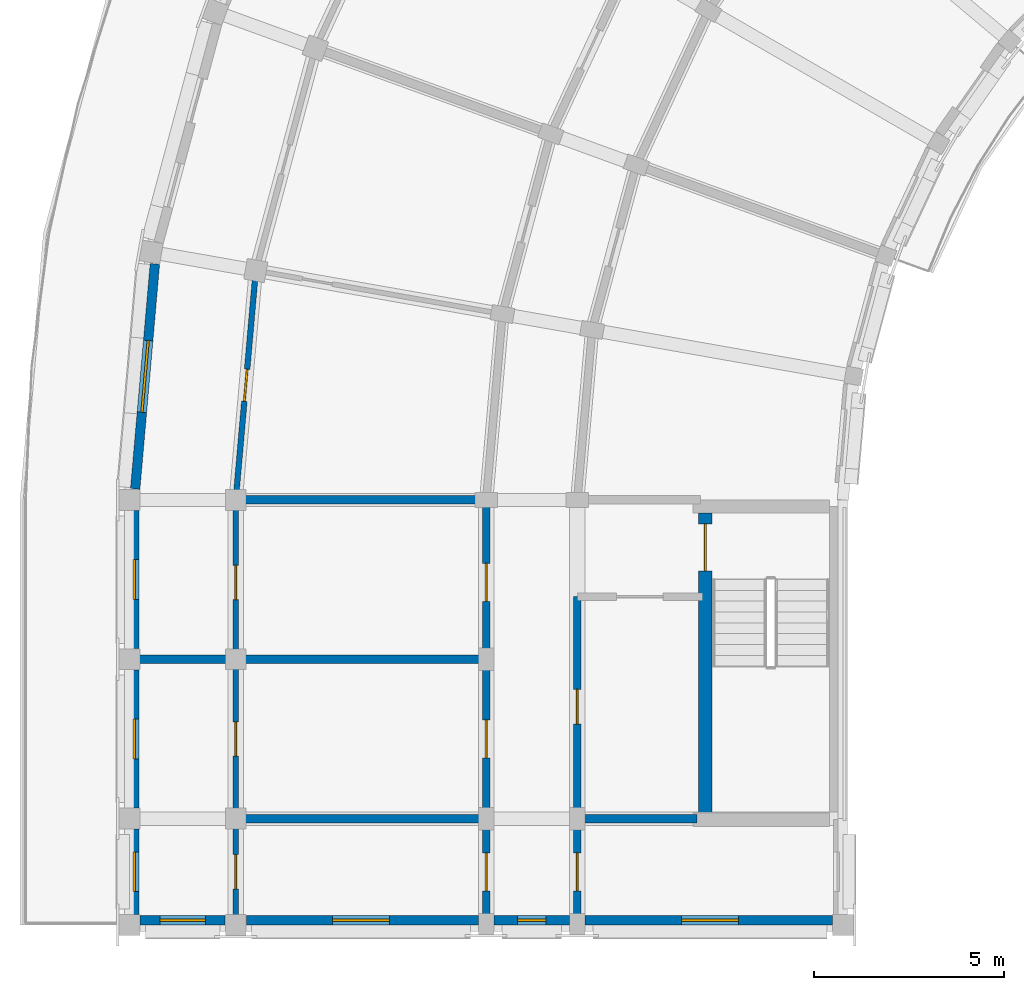
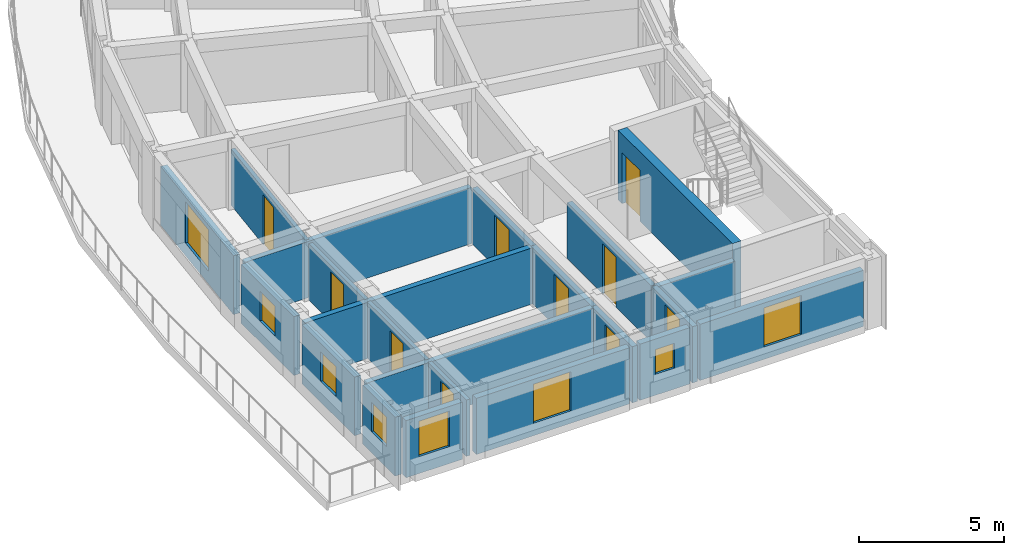
# One storey, part 6 of 16: 22 walls, 10 doors, 8 windows, 18 openings.
"""IFC4 building model written with IfcOpenShell, lengths in metres."""

from ifc_helpers import new_model, si_unit, direction, frame, frame_2d, origin, place, context, subcontext, project, spatial, rectangle, extrude, material, layer, layer_set, type_object, element, fill, save


model = new_model("IFC4")

# Units and contexts
model_context = context("Model", 3, precision=1e-05, world=origin(), true_north=direction((0.0, 1.0)))
body_context = subcontext(model_context, "Body", "Model", "MODEL_VIEW")
ifc_project = project(units=[si_unit("LENGTHUNIT", "METRE"), si_unit("AREAUNIT", "SQUARE_METRE"), si_unit("VOLUMEUNIT", "CUBIC_METRE"), si_unit("PLANEANGLEUNIT", "RADIAN"), si_unit("MASSUNIT", "GRAM", prefix="KILO")], contexts=[model_context])

# Site, building, storey
site_placement = place(None, origin())
site = spatial("IfcSite", under=ifc_project, at=site_placement, CompositionType="ELEMENT")
building_placement = place(site_placement, origin())
building = spatial("IfcBuilding", under=site, at=building_placement, Name="Kiranvali Square Residences", CompositionType="ELEMENT")
storey_placement = place(building_placement, frame((0.0, 0.0, 46.5)))
storey = spatial("IfcBuildingStorey", under=building, at=storey_placement, Name="L14", CompositionType="ELEMENT", Elevation=46.5)

# Wall, opening, door
ifc_material_1 = material(Name="Autoclaved aerated concrete blockwork masonry", Category="masonry")
ifc_layer_1 = layer(ifc_material_1, 0.199951171875)
ifc_layer_set_1 = layer_set([ifc_layer_1], Name="Autoclaved aerated concrete blockwork masonry")
wall_type_1 = type_object("IfcWallType", Name="WL-COR-200", PredefinedType="STANDARD", material=ifc_layer_set_1)
wall_1_placement = place(storey_placement, frame((22.39990234375, 85.25, 0.0), z_axis=(0.0, 0.0, 1.0), x_axis=(0.0, -1.0, 0.0)))
wall_1 = element("IfcWall", 1, at=wall_1_placement, inside=storey, type_object=wall_type_1, Name="L14 architectural wall WL-L14-A-S3-COR", PredefinedType="STANDARD", context=body_context, shape_type="SweptSolid", body=[
    extrude(rectangle(XDim=5.800048828125, YDim=0.199951171875, at=frame_2d((2.89990234375, 0.0))), origin(), (0.0, 0.0, 1.0), 2.3720703125),
])
opening_1_placement = place(wall_1_placement, frame((2.43994140625, 0.0, 0.0)))
opening_1 = element("IfcOpeningElement", 2, at=opening_1_placement, cuts=wall_1, Name="Opening FD-SVC-120", PredefinedType="OPENING", context=body_context, shape_type="SweptSolid", body=[
    extrude(rectangle(XDim=0.919921875, YDim=2.10009765625, at=frame_2d((0.4599609375, 1.050048828125))), frame((0.0, 0.10986328125, 0.0), z_axis=(0.0, -1.0, 0.0), x_axis=(1.0, 0.0, 0.0)), (0.0, 0.0, 1.0), 0.219970703125),
])
ifc_material_2 = material(Name="Fire-rated acoustic hardwood and mineral-core door assembly", Category="wood")
door_type_1 = type_object("IfcDoorType", Name="DR-SVC-900", OperationType="NOTDEFINED", PredefinedType="DOOR", material=ifc_material_2)
door_1_placement = place(opening_1_placement, frame((0.919921875, 0.0, 0.0), z_axis=(0.0, 0.0, 1.0), x_axis=(-1.0, 0.0, 0.0)))
door_1 = element("IfcDoor", 3, at=door_1_placement, inside=storey, type_object=door_type_1, Name="L14 door DR-L14-0858 (DR-SVC-900)", OperationType="SINGLE_SWING_RIGHT", OverallHeight=2.10009765625, OverallWidth=0.919921875, PredefinedType="DOOR", context=body_context, shape_type="SweptSolid", body=[
    extrude(rectangle(XDim=0.919921875, YDim=2.10009765625, at=frame_2d((0.4599609375, 1.050048828125))), frame((0.0, 0.02490234375, 0.0), z_axis=(0.0, -1.0, 0.0), x_axis=(1.0, 0.0, 0.0)), (0.0, 0.0, 1.0), 0.050048828125),
])
fill(opening_1, door_1)

wall_2_placement = place(storey_placement, frame((20.0, 87.64990234375, 0.0), z_axis=(0.0, 0.0, 1.0), x_axis=(0.0, -1.0, 0.0)))
wall_2 = element("IfcWall", 4, at=wall_2_placement, inside=storey, type_object=wall_type_1, Name="L14 architectural wall WL-L14-A-A2CF-C0", PredefinedType="STANDARD", context=body_context, shape_type="SweptSolid", body=[
    extrude(rectangle(XDim=4.0498046875, YDim=0.199951171875, at=frame_2d((2.02490234375, 0.0))), origin(), (0.0, 0.0, 1.0), 2.3720703125),
])
opening_2_placement = place(wall_2_placement, frame((1.52490234375, 0.0, 0.0)))
opening_2 = element("IfcOpeningElement", 5, at=opening_2_placement, cuts=wall_2, Name="Opening FD-APT-60", PredefinedType="OPENING", context=body_context, shape_type="SweptSolid", body=[
    extrude(rectangle(XDim=1.0, YDim=2.14990234375, at=frame_2d((0.5, 1.074951171875))), frame((0.0, 0.10986328125, 0.0), z_axis=(0.0, -1.0, 0.0), x_axis=(1.0, 0.0, 0.0)), (0.0, 0.0, 1.0), 0.219970703125),
])
door_type_2 = type_object("IfcDoorType", Name="DR-APT-1000", OperationType="NOTDEFINED", PredefinedType="DOOR", material=ifc_material_2)
door_2_placement = place(opening_2_placement, frame((1.0, 0.0, 0.0), z_axis=(0.0, 0.0, 1.0), x_axis=(-1.0, 0.0, 0.0)))
door_2 = element("IfcDoor", 6, at=door_2_placement, inside=storey, type_object=door_type_2, Name="L14 door DR-L14-0894 (DR-APT-1000)", OperationType="SINGLE_SWING_RIGHT", OverallHeight=2.14990234375, OverallWidth=1.0, PredefinedType="DOOR", context=body_context, shape_type="SweptSolid", body=[
    extrude(rectangle(XDim=1.0, YDim=2.14990234375, at=frame_2d((0.5, 1.074951171875))), frame((0.0, 0.02490234375, 0.0), z_axis=(0.0, -1.0, 0.0), x_axis=(1.0, 0.0, 0.0)), (0.0, 0.0, 1.0), 0.050048828125),
])
fill(opening_2, door_2)

wall_3_placement = place(storey_placement, frame((20.0, 83.60009765625, 0.0), z_axis=(0.0, 0.0, 1.0), x_axis=(0.0, -1.0, 0.0)))
wall_3 = element("IfcWall", 7, at=wall_3_placement, inside=storey, type_object=wall_type_1, Name="L14 architectural wall WL-L14-A-A2CF-C1", PredefinedType="STANDARD", context=body_context, shape_type="SweptSolid", body=[
    extrude(rectangle(XDim=4.2001953125, YDim=0.199951171875, at=frame_2d((2.10009765625, 0.0))), origin(), (0.0, 0.0, 1.0), 2.3720703125),
])
opening_3_placement = place(wall_3_placement, frame((1.60009765625, 0.0, 0.0)))
opening_3 = element("IfcOpeningElement", 8, at=opening_3_placement, cuts=wall_3, Name="Opening FD-APT-60", PredefinedType="OPENING", context=body_context, shape_type="SweptSolid", body=[
    extrude(rectangle(XDim=1.0, YDim=2.14990234375, at=frame_2d((0.5, 1.074951171875))), frame((0.0, 0.10986328125, 0.0), z_axis=(0.0, -1.0, 0.0), x_axis=(1.0, 0.0, 0.0)), (0.0, 0.0, 1.0), 0.219970703125),
])
door_3_placement = place(opening_3_placement, frame((1.0, 0.0, 0.0), z_axis=(0.0, 0.0, 1.0), x_axis=(-1.0, 0.0, 0.0)))
door_3 = element("IfcDoor", 9, at=door_3_placement, inside=storey, type_object=door_type_2, Name="L14 door DR-L14-0896 (DR-APT-1000)", OperationType="SINGLE_SWING_RIGHT", OverallHeight=2.14990234375, OverallWidth=1.0, PredefinedType="DOOR", context=body_context, shape_type="SweptSolid", body=[
    extrude(rectangle(XDim=1.0, YDim=2.14990234375, at=frame_2d((0.5, 1.074951171875))), frame((0.0, 0.02490234375, 0.0), z_axis=(0.0, -1.0, 0.0), x_axis=(1.0, 0.0, 0.0)), (0.0, 0.0, 1.0), 0.050048828125),
])
fill(opening_3, door_3)

wall_4_placement = place(storey_placement, frame((22.39990234375, 79.39990234375, 0.0), z_axis=(0.0, 0.0, 1.0), x_axis=(0.0, -1.0, 0.0)))
wall_4 = element("IfcWall", 10, at=wall_4_placement, inside=storey, type_object=wall_type_1, Name="L14 architectural wall WL-L14-A-A2CI-0", PredefinedType="STANDARD", context=body_context, shape_type="SweptSolid", body=[
    extrude(rectangle(XDim=2.7998046875, YDim=0.199951171875, at=frame_2d((1.39990234375, 0.0))), origin(), (0.0, 0.0, 1.0), 2.3720703125),
])
opening_4_placement = place(wall_4_placement, frame((0.89990234375, 0.0, 0.0)))
opening_4 = element("IfcOpeningElement", 11, at=opening_4_placement, cuts=wall_4, Name="Opening FD-APT-60", PredefinedType="OPENING", context=body_context, shape_type="SweptSolid", body=[
    extrude(rectangle(XDim=1.0, YDim=2.14990234375, at=frame_2d((0.5, 1.074951171875))), frame((0.0, 0.10986328125, 0.0), z_axis=(0.0, -1.0, 0.0), x_axis=(1.0, 0.0, 0.0)), (0.0, 0.0, 1.0), 0.219970703125),
])
door_4_placement = place(opening_4_placement, frame((1.0, 0.0, 0.0), z_axis=(0.0, 0.0, 1.0), x_axis=(-1.0, 0.0, 0.0)))
door_4 = element("IfcDoor", 12, at=door_4_placement, inside=storey, type_object=door_type_2, Name="L14 door DR-L14-0898 (DR-APT-1000)", OperationType="SINGLE_SWING_RIGHT", OverallHeight=2.14990234375, OverallWidth=1.0, PredefinedType="DOOR", context=body_context, shape_type="SweptSolid", body=[
    extrude(rectangle(XDim=1.0, YDim=2.14990234375, at=frame_2d((0.5, 1.074951171875))), frame((0.0, 0.02490234375, 0.0), z_axis=(0.0, -1.0, 0.0), x_axis=(1.0, 0.0, 0.0)), (0.0, 0.0, 1.0), 0.050048828125),
])
fill(opening_4, door_4)

wall_5_placement = place(storey_placement, frame((20.0, 79.39990234375, 0.0), z_axis=(0.0, 0.0, 1.0), x_axis=(0.0, -1.0, 0.0)))
wall_5 = element("IfcWall", 13, at=wall_5_placement, inside=storey, type_object=wall_type_1, Name="L14 architectural wall WL-L14-A-A2CO-0", PredefinedType="STANDARD", context=body_context, shape_type="SweptSolid", body=[
    extrude(rectangle(XDim=2.7998046875, YDim=0.199951171875, at=frame_2d((1.39990234375, 0.0))), origin(), (0.0, 0.0, 1.0), 2.3720703125),
])
opening_5_placement = place(wall_5_placement, frame((0.89990234375, 0.0, 0.0)))
opening_5 = element("IfcOpeningElement", 14, at=opening_5_placement, cuts=wall_5, Name="Opening FD-APT-60", PredefinedType="OPENING", context=body_context, shape_type="SweptSolid", body=[
    extrude(rectangle(XDim=1.0, YDim=2.14990234375, at=frame_2d((0.5, 1.074951171875))), frame((0.0, 0.10986328125, 0.0), z_axis=(0.0, -1.0, 0.0), x_axis=(1.0, 0.0, 0.0)), (0.0, 0.0, 1.0), 0.219970703125),
])
door_5_placement = place(opening_5_placement, frame((1.0, 0.0, 0.0), z_axis=(0.0, 0.0, 1.0), x_axis=(-1.0, 0.0, 0.0)))
door_5 = element("IfcDoor", 15, at=door_5_placement, inside=storey, type_object=door_type_2, Name="L14 door DR-L14-0900 (DR-APT-1000)", OperationType="SINGLE_SWING_RIGHT", OverallHeight=2.14990234375, OverallWidth=1.0, PredefinedType="DOOR", context=body_context, shape_type="SweptSolid", body=[
    extrude(rectangle(XDim=1.0, YDim=2.14990234375, at=frame_2d((0.5, 1.074951171875))), frame((0.0, 0.02490234375, 0.0), z_axis=(0.0, -1.0, 0.0), x_axis=(1.0, 0.0, 0.0)), (0.0, 0.0, 1.0), 0.050048828125),
])
fill(opening_5, door_5)

# Walls
ifc_layer_2 = layer(ifc_material_1, 0.219970703125)
ifc_layer_set_2 = layer_set([ifc_layer_2], Name="Autoclaved aerated concrete blockwork masonry")
wall_type_2 = type_object("IfcWallType", Name="WL-DEM-220", PredefinedType="STANDARD", material=ifc_layer_set_2)
wall_6_placement = place(storey_placement, frame((19.89990234375, 87.800048828125, 0.0), z_axis=(0.0, 0.0, 1.0), x_axis=(-1.0, 0.0, 0.0)))
element("IfcWall", 16, at=wall_6_placement, inside=storey, type_object=wall_type_2, Name="L14 architectural wall WL-L14-A-RADO-9", PredefinedType="STANDARD", context=body_context, shape_type="SweptSolid", body=[
    extrude(rectangle(XDim=9.02001953125, YDim=0.219970703125, at=frame_2d((4.510009765625, 0.0))), origin(), (0.0, 0.0, 1.0), 2.3720703125),
])
wall_7_placement = place(storey_placement, frame((19.949951171875, 83.60009765625, 0.0), z_axis=(0.0, 0.0, 1.0), x_axis=(-1.0, 0.0, 0.0)))
element("IfcWall", 17, at=wall_7_placement, inside=storey, type_object=wall_type_2, Name="L14 architectural wall WL-L14-A-A2CF-MID", PredefinedType="STANDARD", context=body_context, shape_type="SweptSolid", body=[
    extrude(rectangle(XDim=9.1298828125, YDim=0.219970703125, at=frame_2d((4.56494140625, 0.0))), origin(), (0.0, 0.0, 1.0), 2.3720703125),
])
wall_8_placement = place(storey_placement, frame((25.550048828125, 79.39990234375, 0.0), z_axis=(0.0, 0.0, 1.0), x_axis=(-1.0, 0.0, 0.0)))
element("IfcWall", 18, at=wall_8_placement, inside=storey, type_object=wall_type_2, Name="L14 architectural wall WL-L14-A-A2TI-0", PredefinedType="STANDARD", context=body_context, shape_type="SweptSolid", body=[
    extrude(rectangle(XDim=3.10009765625, YDim=0.219970703125, at=frame_2d((1.550048828125, 0.0))), origin(), (0.0, 0.0, 1.0), 2.3720703125),
])
wall_9_placement = place(storey_placement, frame((19.89990234375, 79.39990234375, 0.0), z_axis=(0.0, 0.0, 1.0), x_axis=(-1.0, 0.0, 0.0)))
element("IfcWall", 19, at=wall_9_placement, inside=storey, type_object=wall_type_2, Name="L14 architectural wall WL-L14-A-A2TO-0", PredefinedType="STANDARD", context=body_context, shape_type="SweptSolid", body=[
    extrude(rectangle(XDim=9.02001953125, YDim=0.219970703125, at=frame_2d((4.510009765625, 0.0))), origin(), (0.0, 0.0, 1.0), 2.3720703125),
])

# Wall, opening, window
ifc_material_3 = material(Name="Breathable lime-rendered clay brick masonry", Category="masonry")
ifc_layer_3 = layer(ifc_material_3, 0.25)
ifc_layer_set_3 = layer_set([ifc_layer_3], Name="Breathable lime-rendered clay brick masonry")
wall_type_3 = type_object("IfcWallType", Name="WL-EXT-250", PredefinedType="STANDARD", material=ifc_layer_set_3)
wall_10_placement = place(storey_placement, frame((11.26953125, 94.018798828125, 0.0), z_axis=(0.0, 0.0, 1.0), x_axis=(-0.087151687417, -0.996195052879, 0.0)))
wall_10 = element("IfcWall", 20, at=wall_10_placement, inside=storey, type_object=wall_type_3, Name="L14 exterior wall A-L14-CRV-08", PredefinedType="STANDARD", context=body_context, shape_type="SweptSolid", body=[
    extrude(rectangle(XDim=5.952880859375, YDim=0.25, at=frame_2d((2.9765625, 0.0))), origin(), (0.0, 0.0, 1.0), 2.47998046875),
])
opening_6_placement = place(wall_10_placement, frame((2.026611328125, 0.0, 0.530029296875)))
opening_6 = element("IfcOpeningElement", 21, at=opening_6_placement, cuts=wall_10, Name="Opening W-21", PredefinedType="OPENING", context=body_context, shape_type="SweptSolid", body=[
    extrude(rectangle(XDim=1.89990234375, YDim=1.75, at=frame_2d((0.949951171875, 0.875))), frame((0.0, 0.135009765625, 0.0), z_axis=(0.0, -1.0, 0.0), x_axis=(1.0, 0.0, 0.0)), (0.0, 0.0, 1.0), 0.27001953125),
])
ifc_material_4 = material(Name="Solar-control low-e double glazing", Category="glass")
window_type_1 = type_object("IfcWindowType", Name="WIN-TER-1900x1750", PartitioningType="DOUBLE_PANEL_VERTICAL", PredefinedType="WINDOW", material=ifc_material_4)
window_1_placement = place(opening_6_placement, origin())
window_1 = element("IfcWindow", 22, at=window_1_placement, inside=storey, type_object=window_type_1, Name="L14 recessed window A-L14-CRV-08", OverallHeight=1.75, OverallWidth=1.89990234375, PartitioningType="DOUBLE_PANEL_VERTICAL", PredefinedType="WINDOW", context=body_context, shape_type="SweptSolid", body=[
    extrude(rectangle(XDim=1.89990234375, YDim=1.75, at=frame_2d((0.949951171875, 0.875))), frame((0.0, 0.030029296875, 0.0), z_axis=(0.0, -1.0, 0.0), x_axis=(1.0, 0.0, 0.0)), (0.0, 0.0, 1.0), 0.06005859375),
])
fill(opening_6, window_1)

wall_11_placement = place(storey_placement, frame((10.72509765625, 87.521484375, 0.0), z_axis=(0.0, 0.0, 1.0), x_axis=(0.0, -1.0, 0.0)))
wall_11 = element("IfcWall", 23, at=wall_11_placement, inside=storey, type_object=wall_type_3, Name="L14 exterior wall A-L14-A2O-0", PredefinedType="STANDARD", context=body_context, shape_type="SweptSolid", body=[
    extrude(rectangle(XDim=3.64306640625, YDim=0.25, at=frame_2d((1.821533203125, 0.0))), origin(), (0.0, 0.0, 1.0), 2.47998046875),
])
opening_7_placement = place(wall_11_placement, frame((1.29638671875, 0.0, 0.8798828125)))
opening_7 = element("IfcOpeningElement", 24, at=opening_7_placement, cuts=wall_11, Name="Opening W-24", PredefinedType="OPENING", context=body_context, shape_type="SweptSolid", body=[
    extrude(rectangle(XDim=1.050048828125, YDim=1.25, at=frame_2d((0.52490234375, 0.625))), frame((0.0, 0.135009765625, 0.0), z_axis=(0.0, -1.0, 0.0), x_axis=(1.0, 0.0, 0.0)), (0.0, 0.0, 1.0), 0.27001953125),
])
window_type_2 = type_object("IfcWindowType", Name="WIN-COR-1050x1250", PartitioningType="SINGLE_PANEL", PredefinedType="WINDOW", material=ifc_material_4)
window_2_placement = place(opening_7_placement, origin())
window_2 = element("IfcWindow", 25, at=window_2_placement, inside=storey, type_object=window_type_2, Name="L14 recessed window A-L14-A2O-0", OverallHeight=1.25, OverallWidth=1.050048828125, PartitioningType="SINGLE_PANEL", PredefinedType="WINDOW", context=body_context, shape_type="SweptSolid", body=[
    extrude(rectangle(XDim=1.050048828125, YDim=1.25, at=frame_2d((0.52490234375, 0.625))), frame((0.0, 0.030029296875, 0.0), z_axis=(0.0, -1.0, 0.0), x_axis=(1.0, 0.0, 0.0)), (0.0, 0.0, 1.0), 0.06005859375),
])
fill(opening_7, window_2)

wall_12_placement = place(storey_placement, frame((10.72509765625, 83.321533203125, 0.0), z_axis=(0.0, 0.0, 1.0), x_axis=(0.0, -1.0, 0.0)))
wall_12 = element("IfcWall", 26, at=wall_12_placement, inside=storey, type_object=wall_type_3, Name="L14 exterior wall A-L14-A2O-1", PredefinedType="STANDARD", context=body_context, shape_type="SweptSolid", body=[
    extrude(rectangle(XDim=3.64306640625, YDim=0.25, at=frame_2d((1.821533203125, 0.0))), origin(), (0.0, 0.0, 1.0), 2.47998046875),
])
opening_8_placement = place(wall_12_placement, frame((1.29638671875, 0.0, 0.8798828125)))
opening_8 = element("IfcOpeningElement", 27, at=opening_8_placement, cuts=wall_12, Name="Opening W-24", PredefinedType="OPENING", context=body_context, shape_type="SweptSolid", body=[
    extrude(rectangle(XDim=1.050048828125, YDim=1.25, at=frame_2d((0.52490234375, 0.625))), frame((0.0, 0.135009765625, 0.0), z_axis=(0.0, -1.0, 0.0), x_axis=(1.0, 0.0, 0.0)), (0.0, 0.0, 1.0), 0.27001953125),
])
window_3_placement = place(opening_8_placement, origin())
window_3 = element("IfcWindow", 28, at=window_3_placement, inside=storey, type_object=window_type_2, Name="L14 recessed window A-L14-A2O-1", OverallHeight=1.25, OverallWidth=1.050048828125, PartitioningType="SINGLE_PANEL", PredefinedType="WINDOW", context=body_context, shape_type="SweptSolid", body=[
    extrude(rectangle(XDim=1.050048828125, YDim=1.25, at=frame_2d((0.52490234375, 0.625))), frame((0.0, 0.030029296875, 0.0), z_axis=(0.0, -1.0, 0.0), x_axis=(1.0, 0.0, 0.0)), (0.0, 0.0, 1.0), 0.06005859375),
])
fill(opening_8, window_3)

wall_13_placement = place(storey_placement, frame((10.72509765625, 79.12158203125, 0.0), z_axis=(0.0, 0.0, 1.0), x_axis=(0.0, -1.0, 0.0)))
wall_13 = element("IfcWall", 29, at=wall_13_placement, inside=storey, type_object=wall_type_3, Name="L14 exterior wall A-L14-A2O-2", PredefinedType="STANDARD", context=body_context, shape_type="SweptSolid", body=[
    extrude(rectangle(XDim=2.2431640625, YDim=0.25, at=frame_2d((1.12158203125, 0.0))), origin(), (0.0, 0.0, 1.0), 2.47998046875),
])
opening_9_placement = place(wall_13_placement, frame((0.596435546875, 0.0, 0.8798828125)))
opening_9 = element("IfcOpeningElement", 30, at=opening_9_placement, cuts=wall_13, Name="Opening W-24", PredefinedType="OPENING", context=body_context, shape_type="SweptSolid", body=[
    extrude(rectangle(XDim=1.050048828125, YDim=1.25, at=frame_2d((0.52490234375, 0.625))), frame((0.0, 0.135009765625, 0.0), z_axis=(0.0, -1.0, 0.0), x_axis=(1.0, 0.0, 0.0)), (0.0, 0.0, 1.0), 0.27001953125),
])
window_4_placement = place(opening_9_placement, origin())
window_4 = element("IfcWindow", 31, at=window_4_placement, inside=storey, type_object=window_type_2, Name="L14 recessed window A-L14-A2O-2", OverallHeight=1.25, OverallWidth=1.050048828125, PartitioningType="SINGLE_PANEL", PredefinedType="WINDOW", context=body_context, shape_type="SweptSolid", body=[
    extrude(rectangle(XDim=1.050048828125, YDim=1.25, at=frame_2d((0.52490234375, 0.625))), frame((0.0, 0.030029296875, 0.0), z_axis=(0.0, -1.0, 0.0), x_axis=(1.0, 0.0, 0.0)), (0.0, 0.0, 1.0), 0.06005859375),
])
fill(opening_9, window_4)

wall_14_placement = place(storey_placement, frame((29.12158203125, 76.72509765625, 0.0), z_axis=(0.0, 0.0, 1.0), x_axis=(-1.0, 0.0, 0.0)))
wall_14 = element("IfcWall", 32, at=wall_14_placement, inside=storey, type_object=wall_type_3, Name="L14 exterior wall A-L14-A2END-0", PredefinedType="STANDARD", context=body_context, shape_type="SweptSolid", body=[
    extrude(rectangle(XDim=6.51806640625, YDim=0.25, at=frame_2d((3.259033203125, 0.0))), origin(), (0.0, 0.0, 1.0), 2.3720703125),
])
opening_10_placement = place(wall_14_placement, frame((2.471435546875, 0.0, 0.52197265625)))
opening_10 = element("IfcOpeningElement", 33, at=opening_10_placement, cuts=wall_14, Name="Opening W-05", PredefinedType="OPENING", context=body_context, shape_type="SweptSolid", body=[
    extrude(rectangle(XDim=1.5, YDim=1.64990234375, at=frame_2d((0.75, 0.824951171875))), frame((0.0, 0.135009765625, 0.0), z_axis=(0.0, -1.0, 0.0), x_axis=(1.0, 0.0, 0.0)), (0.0, 0.0, 1.0), 0.27001953125),
])
window_type_3 = type_object("IfcWindowType", Name="WIN-RES-1500x1650", PartitioningType="DOUBLE_PANEL_VERTICAL", PredefinedType="WINDOW", material=ifc_material_4)
window_5_placement = place(opening_10_placement, origin())
window_5 = element("IfcWindow", 34, at=window_5_placement, inside=storey, type_object=window_type_3, Name="L14 recessed window A-L14-A2END-0", OverallHeight=1.64990234375, OverallWidth=1.5, PartitioningType="DOUBLE_PANEL_VERTICAL", PredefinedType="WINDOW", context=body_context, shape_type="SweptSolid", body=[
    extrude(rectangle(XDim=1.5, YDim=1.64990234375, at=frame_2d((0.75, 0.824951171875))), frame((0.0, 0.030029296875, 0.0), z_axis=(0.0, -1.0, 0.0), x_axis=(1.0, 0.0, 0.0)), (0.0, 0.0, 1.0), 0.06005859375),
])
fill(opening_10, window_5)

wall_15_placement = place(storey_placement, frame((22.196533203125, 76.72509765625, 0.0), z_axis=(0.0, 0.0, 1.0), x_axis=(-1.0, 0.0, 0.0)))
wall_15 = element("IfcWall", 35, at=wall_15_placement, inside=storey, type_object=wall_type_3, Name="L14 exterior wall A-L14-A2END-1", PredefinedType="STANDARD", context=body_context, shape_type="SweptSolid", body=[
    extrude(rectangle(XDim=1.992919921875, YDim=0.25, at=frame_2d((0.99658203125, 0.0))), origin(), (0.0, 0.0, 1.0), 2.3720703125),
])
opening_11_placement = place(wall_15_placement, frame((0.62158203125, 0.0, 0.8798828125)))
opening_11 = element("IfcOpeningElement", 36, at=opening_11_placement, cuts=wall_15, Name="Opening W-07", PredefinedType="OPENING", context=body_context, shape_type="SweptSolid", body=[
    extrude(rectangle(XDim=0.75, YDim=1.050048828125, at=frame_2d((0.375, 0.52490234375))), frame((0.0, 0.135009765625, 0.0), z_axis=(0.0, -1.0, 0.0), x_axis=(1.0, 0.0, 0.0)), (0.0, 0.0, 1.0), 0.27001953125),
])
window_type_4 = type_object("IfcWindowType", Name="WIN-WET-750x1050", PartitioningType="SINGLE_PANEL", PredefinedType="WINDOW", material=ifc_material_4)
window_6_placement = place(opening_11_placement, origin())
window_6 = element("IfcWindow", 37, at=window_6_placement, inside=storey, type_object=window_type_4, Name="L14 recessed window A-L14-A2END-1", OverallHeight=1.050048828125, OverallWidth=0.75, PartitioningType="SINGLE_PANEL", PredefinedType="WINDOW", context=body_context, shape_type="SweptSolid", body=[
    extrude(rectangle(XDim=0.75, YDim=1.050048828125, at=frame_2d((0.375, 0.52490234375))), frame((0.0, 0.030029296875, 0.0), z_axis=(0.0, -1.0, 0.0), x_axis=(1.0, 0.0, 0.0)), (0.0, 0.0, 1.0), 0.06005859375),
])
fill(opening_11, window_6)

wall_16_placement = place(storey_placement, frame((19.79638671875, 76.72509765625, 0.0), z_axis=(0.0, 0.0, 1.0), x_axis=(-1.0, 0.0, 0.0)))
wall_16 = element("IfcWall", 38, at=wall_16_placement, inside=storey, type_object=wall_type_3, Name="L14 exterior wall A-L14-A2END-2", PredefinedType="STANDARD", context=body_context, shape_type="SweptSolid", body=[
    extrude(rectangle(XDim=6.117919921875, YDim=0.25, at=frame_2d((3.05908203125, 0.0))), origin(), (0.0, 0.0, 1.0), 2.3720703125),
])
opening_12_placement = place(wall_16_placement, frame((2.346435546875, 0.0, 0.52197265625)))
opening_12 = element("IfcOpeningElement", 39, at=opening_12_placement, cuts=wall_16, Name="Opening W-05", PredefinedType="OPENING", context=body_context, shape_type="SweptSolid", body=[
    extrude(rectangle(XDim=1.5, YDim=1.64990234375, at=frame_2d((0.75, 0.824951171875))), frame((0.0, 0.135009765625, 0.0), z_axis=(0.0, -1.0, 0.0), x_axis=(1.0, 0.0, 0.0)), (0.0, 0.0, 1.0), 0.27001953125),
])
window_7_placement = place(opening_12_placement, origin())
window_7 = element("IfcWindow", 40, at=window_7_placement, inside=storey, type_object=window_type_3, Name="L14 recessed window A-L14-A2END-2", OverallHeight=1.64990234375, OverallWidth=1.5, PartitioningType="DOUBLE_PANEL_VERTICAL", PredefinedType="WINDOW", context=body_context, shape_type="SweptSolid", body=[
    extrude(rectangle(XDim=1.5, YDim=1.64990234375, at=frame_2d((0.75, 0.824951171875))), frame((0.0, 0.030029296875, 0.0), z_axis=(0.0, -1.0, 0.0), x_axis=(1.0, 0.0, 0.0)), (0.0, 0.0, 1.0), 0.06005859375),
])
fill(opening_12, window_7)

wall_17_placement = place(storey_placement, frame((13.12158203125, 76.72509765625, 0.0), z_axis=(0.0, 0.0, 1.0), x_axis=(-1.0, 0.0, 0.0)))
wall_17 = element("IfcWall", 41, at=wall_17_placement, inside=storey, type_object=wall_type_3, Name="L14 exterior wall A-L14-A2END-3", PredefinedType="STANDARD", context=body_context, shape_type="SweptSolid", body=[
    extrude(rectangle(XDim=2.2431640625, YDim=0.25, at=frame_2d((1.12158203125, 0.0))), origin(), (0.0, 0.0, 1.0), 2.412109375),
])
opening_13_placement = place(wall_17_placement, frame((0.521484375, 0.0, 0.7119140625)))
opening_13 = element("IfcOpeningElement", 42, at=opening_13_placement, cuts=wall_17, Name="Opening W-06", PredefinedType="OPENING", context=body_context, shape_type="SweptSolid", body=[
    extrude(rectangle(XDim=1.199951171875, YDim=1.5, at=frame_2d((0.60009765625, 0.75))), frame((0.0, 0.135009765625, 0.0), z_axis=(0.0, -1.0, 0.0), x_axis=(1.0, 0.0, 0.0)), (0.0, 0.0, 1.0), 0.27001953125),
])
window_type_5 = type_object("IfcWindowType", Name="WIN-RES-1200x1500", PartitioningType="SINGLE_PANEL", PredefinedType="WINDOW", material=ifc_material_4)
window_8_placement = place(opening_13_placement, origin())
window_8 = element("IfcWindow", 43, at=window_8_placement, inside=storey, type_object=window_type_5, Name="L14 recessed window A-L14-A2END-3", OverallHeight=1.5, OverallWidth=1.199951171875, PartitioningType="SINGLE_PANEL", PredefinedType="WINDOW", context=body_context, shape_type="SweptSolid", body=[
    extrude(rectangle(XDim=1.199951171875, YDim=1.5, at=frame_2d((0.60009765625, 0.75))), frame((0.0, 0.030029296875, 0.0), z_axis=(0.0, -1.0, 0.0), x_axis=(1.0, 0.0, 0.0)), (0.0, 0.0, 1.0), 0.06005859375),
])
fill(opening_13, window_8)

# Wall, opening, door
ifc_material_5 = material(Name="Acoustic gypsum board drylined partition", Category="gypsum")
ifc_layer_4 = layer(ifc_material_5, 0.14990234375)
ifc_layer_set_4 = layer_set([ifc_layer_4], Name="Acoustic gypsum board drylined partition")
wall_type_4 = type_object("IfcWallType", Name="WL-PRT-150", PredefinedType="PARTITIONING", material=ifc_layer_set_4)
wall_18_placement = place(storey_placement, frame((13.39990234375, 87.570068359375, 0.0), z_axis=(0.0, 0.0, 1.0), x_axis=(0.0, -1.0, 0.0)))
wall_18 = element("IfcWall", 44, at=wall_18_placement, inside=storey, type_object=wall_type_4, Name="L14 architectural wall WL-L14-A-A2CF-SP0", PredefinedType="PARTITIONING", context=body_context, shape_type="SweptSolid", body=[
    extrude(rectangle(XDim=3.89013671875, YDim=0.14990234375, at=frame_2d((1.945068359375, 0.0))), origin(), (0.0, 0.0, 1.0), 2.3720703125),
])
opening_14_placement = place(wall_18_placement, frame((1.4951171875, 0.0, 0.0)))
opening_14 = element("IfcOpeningElement", 45, at=opening_14_placement, cuts=wall_18, Name="Opening ID-1", PredefinedType="OPENING", context=body_context, shape_type="SweptSolid", body=[
    extrude(rectangle(XDim=0.89990234375, YDim=2.10009765625, at=frame_2d((0.449951171875, 1.050048828125))), frame((0.0, 0.0849609375, 0.0), z_axis=(0.0, -1.0, 0.0), x_axis=(1.0, 0.0, 0.0)), (0.0, 0.0, 1.0), 0.169921875),
])
ifc_material_6 = material(Name="Solid seasoned teak hardwood joinery", Category="wood")
door_type_3 = type_object("IfcDoorType", Name="DR-INT-900", OperationType="NOTDEFINED", PredefinedType="DOOR", material=ifc_material_6)
door_6_placement = place(opening_14_placement, origin())
door_6 = element("IfcDoor", 46, at=door_6_placement, inside=storey, type_object=door_type_3, Name="L14 door DR-L14-0895 (DR-INT-900)", OperationType="SINGLE_SWING_LEFT", OverallHeight=2.10009765625, OverallWidth=0.89990234375, PredefinedType="DOOR", context=body_context, shape_type="SweptSolid", body=[
    extrude(rectangle(XDim=0.89990234375, YDim=2.10009765625, at=frame_2d((0.449951171875, 1.050048828125))), frame((0.0, 0.02490234375, 0.0), z_axis=(0.0, -1.0, 0.0), x_axis=(1.0, 0.0, 0.0)), (0.0, 0.0, 1.0), 0.050048828125),
])
fill(opening_14, door_6)

wall_19_placement = place(storey_placement, frame((13.39990234375, 83.52001953125, 0.0), z_axis=(0.0, 0.0, 1.0), x_axis=(0.0, -1.0, 0.0)))
wall_19 = element("IfcWall", 47, at=wall_19_placement, inside=storey, type_object=wall_type_4, Name="L14 architectural wall WL-L14-A-A2CF-SP1", PredefinedType="PARTITIONING", context=body_context, shape_type="SweptSolid", body=[
    extrude(rectangle(XDim=4.0400390625, YDim=0.14990234375, at=frame_2d((2.02001953125, 0.0))), origin(), (0.0, 0.0, 1.0), 2.3720703125),
])
opening_15_placement = place(wall_19_placement, frame((1.570068359375, 0.0, 0.0)))
opening_15 = element("IfcOpeningElement", 48, at=opening_15_placement, cuts=wall_19, Name="Opening ID-1", PredefinedType="OPENING", context=body_context, shape_type="SweptSolid", body=[
    extrude(rectangle(XDim=0.89990234375, YDim=2.10009765625, at=frame_2d((0.449951171875, 1.050048828125))), frame((0.0, 0.0849609375, 0.0), z_axis=(0.0, -1.0, 0.0), x_axis=(1.0, 0.0, 0.0)), (0.0, 0.0, 1.0), 0.169921875),
])
door_7_placement = place(opening_15_placement, origin())
door_7 = element("IfcDoor", 49, at=door_7_placement, inside=storey, type_object=door_type_3, Name="L14 door DR-L14-0897 (DR-INT-900)", OperationType="SINGLE_SWING_LEFT", OverallHeight=2.10009765625, OverallWidth=0.89990234375, PredefinedType="DOOR", context=body_context, shape_type="SweptSolid", body=[
    extrude(rectangle(XDim=0.89990234375, YDim=2.10009765625, at=frame_2d((0.449951171875, 1.050048828125))), frame((0.0, 0.02490234375, 0.0), z_axis=(0.0, -1.0, 0.0), x_axis=(1.0, 0.0, 0.0)), (0.0, 0.0, 1.0), 0.050048828125),
])
fill(opening_15, door_7)

ifc_material_7 = material(Name="Concrete M45 (45 MPa)", Category="concrete")
ifc_layer_5 = layer(ifc_material_7, 0.320068359375)
ifc_layer_set_5 = layer_set([ifc_layer_5], Name="Concrete M45 (45 MPa)")
wall_type_5 = type_object("IfcWallType", Name="WL-SHR-320", PredefinedType="SHEAR", material=ifc_layer_set_5)
wall_20_placement = place(storey_placement, frame((25.77490234375, 87.449951171875, 0.0), z_axis=(0.0, 0.0, 1.0), x_axis=(0.0, -1.0, 0.0)))
wall_20 = element("IfcWall", 50, at=wall_20_placement, inside=storey, type_object=wall_type_5, Name="Block A core shear wall SW-A3-IN-L14", PredefinedType="SHEAR", context=body_context, shape_type="SweptSolid", body=[
    extrude(rectangle(XDim=7.89990234375, YDim=0.35009765625, at=frame_2d((3.949951171875, 0.0))), origin(), (0.0, 0.0, 1.0), 2.929931640625),
])
opening_16_placement = place(wall_20_placement, frame((0.280029296875, 0.0, 0.0)))
opening_16 = element("IfcOpeningElement", 51, at=opening_16_placement, cuts=wall_20, Name="Opening FD-ST-120", PredefinedType="OPENING", context=body_context, shape_type="SweptSolid", body=[
    extrude(rectangle(XDim=1.239990234375, YDim=2.14990234375, at=frame_2d((0.6201171875, 1.074951171875))), frame((0.0, 0.18505859375, 0.0), z_axis=(0.0, -1.0, 0.0), x_axis=(1.0, 0.0, 0.0)), (0.0, 0.0, 1.0), 0.3701171875),
])
door_type_4 = type_object("IfcDoorType", Name="DR-FD120-1200", OperationType="NOTDEFINED", PredefinedType="DOOR", material=ifc_material_2)
door_8_placement = place(opening_16_placement, origin())
door_8 = element("IfcDoor", 52, at=door_8_placement, inside=storey, type_object=door_type_4, Name="L14 door DR-L14-0853 (DR-FD120-1200)", OperationType="SINGLE_SWING_LEFT", OverallHeight=2.14990234375, OverallWidth=1.239990234375, PredefinedType="DOOR", context=body_context, shape_type="SweptSolid", body=[
    extrude(rectangle(XDim=1.239990234375, YDim=2.14990234375, at=frame_2d((0.6201171875, 1.074951171875))), frame((0.0, 0.02490234375, 0.0), z_axis=(0.0, -1.0, 0.0), x_axis=(1.0, 0.0, 0.0)), (0.0, 0.0, 1.0), 0.050048828125),
])
fill(opening_16, door_8)

ifc_layer_6 = layer(ifc_material_1, 0.14990234375)
ifc_layer_set_6 = layer_set([ifc_layer_6], Name="Autoclaved aerated concrete blockwork masonry")
wall_type_6 = type_object("IfcWallType", Name="WL-WET-150", PredefinedType="PLUMBINGWALL", material=ifc_layer_set_6)
wall_21_placement = place(storey_placement, frame((13.9287109375, 93.843017578125, 0.0), z_axis=(0.0, 0.0, 1.0), x_axis=(-0.087174938512, -0.996193018494, 0.0)))
wall_21 = element("IfcWall", 53, at=wall_21_placement, inside=storey, type_object=wall_type_6, Name="L14 architectural wall WL-L14-A-CWET-8", PredefinedType="PLUMBINGWALL", context=body_context, shape_type="SweptSolid", body=[
    extrude(rectangle(XDim=6.066162109375, YDim=0.14990234375, at=frame_2d((3.033203125, 0.0))), origin(), (0.0, 0.0, 1.0), 2.3720703125),
])
opening_17_placement = place(wall_21_placement, frame((2.613037109375, 0.0, 0.0)))
opening_17 = element("IfcOpeningElement", 54, at=opening_17_placement, cuts=wall_21, Name="Opening ID-WET2", PredefinedType="OPENING", context=body_context, shape_type="SweptSolid", body=[
    extrude(rectangle(XDim=0.840087890625, YDim=2.10009765625, at=frame_2d((0.419921875, 1.050048828125))), frame((0.0, 0.0849609375, 0.0), z_axis=(0.0, -1.0, 0.0), x_axis=(1.0, 0.0, 0.0)), (0.0, 0.0, 1.0), 0.169921875),
])
door_type_5 = type_object("IfcDoorType", Name="DR-WET-840", OperationType="NOTDEFINED", PredefinedType="DOOR", material=ifc_material_6)
door_9_placement = place(opening_17_placement, origin())
door_9 = element("IfcDoor", 55, at=door_9_placement, inside=storey, type_object=door_type_5, Name="L14 door DR-L14-0889 (DR-WET-840)", OperationType="SINGLE_SWING_LEFT", OverallHeight=2.10009765625, OverallWidth=0.840087890625, PredefinedType="DOOR", context=body_context, shape_type="SweptSolid", body=[
    extrude(rectangle(XDim=0.840087890625, YDim=2.10009765625, at=frame_2d((0.419921875, 1.050048828125))), frame((0.0, 0.02490234375, 0.0), z_axis=(0.0, -1.0, 0.0), x_axis=(1.0, 0.0, 0.0)), (0.0, 0.0, 1.0), 0.050048828125),
])
fill(opening_17, door_9)

wall_22_placement = place(storey_placement, frame((13.39990234375, 79.320068359375, 0.0), z_axis=(0.0, 0.0, 1.0), x_axis=(0.0, -1.0, 0.0)))
wall_22 = element("IfcWall", 56, at=wall_22_placement, inside=storey, type_object=wall_type_6, Name="L14 architectural wall WL-L14-A-A2SP-0", PredefinedType="PLUMBINGWALL", context=body_context, shape_type="SweptSolid", body=[
    extrude(rectangle(XDim=2.64013671875, YDim=0.14990234375, at=frame_2d((1.320068359375, 0.0))), origin(), (0.0, 0.0, 1.0), 2.3720703125),
])
opening_18_placement = place(wall_22_placement, frame((0.8701171875, 0.0, 0.0)))
opening_18 = element("IfcOpeningElement", 57, at=opening_18_placement, cuts=wall_22, Name="Opening ID-1", PredefinedType="OPENING", context=body_context, shape_type="SweptSolid", body=[
    extrude(rectangle(XDim=0.89990234375, YDim=2.10009765625, at=frame_2d((0.449951171875, 1.050048828125))), frame((0.0, 0.0849609375, 0.0), z_axis=(0.0, -1.0, 0.0), x_axis=(1.0, 0.0, 0.0)), (0.0, 0.0, 1.0), 0.169921875),
])
door_10_placement = place(opening_18_placement, origin())
door_10 = element("IfcDoor", 58, at=door_10_placement, inside=storey, type_object=door_type_3, Name="L14 door DR-L14-0899 (DR-INT-900)", OperationType="SINGLE_SWING_LEFT", OverallHeight=2.10009765625, OverallWidth=0.89990234375, PredefinedType="DOOR", context=body_context, shape_type="SweptSolid", body=[
    extrude(rectangle(XDim=0.89990234375, YDim=2.10009765625, at=frame_2d((0.449951171875, 1.050048828125))), frame((0.0, 0.02490234375, 0.0), z_axis=(0.0, -1.0, 0.0), x_axis=(1.0, 0.0, 0.0)), (0.0, 0.0, 1.0), 0.050048828125),
])
fill(opening_18, door_10)

save(model, "model.ifc")
